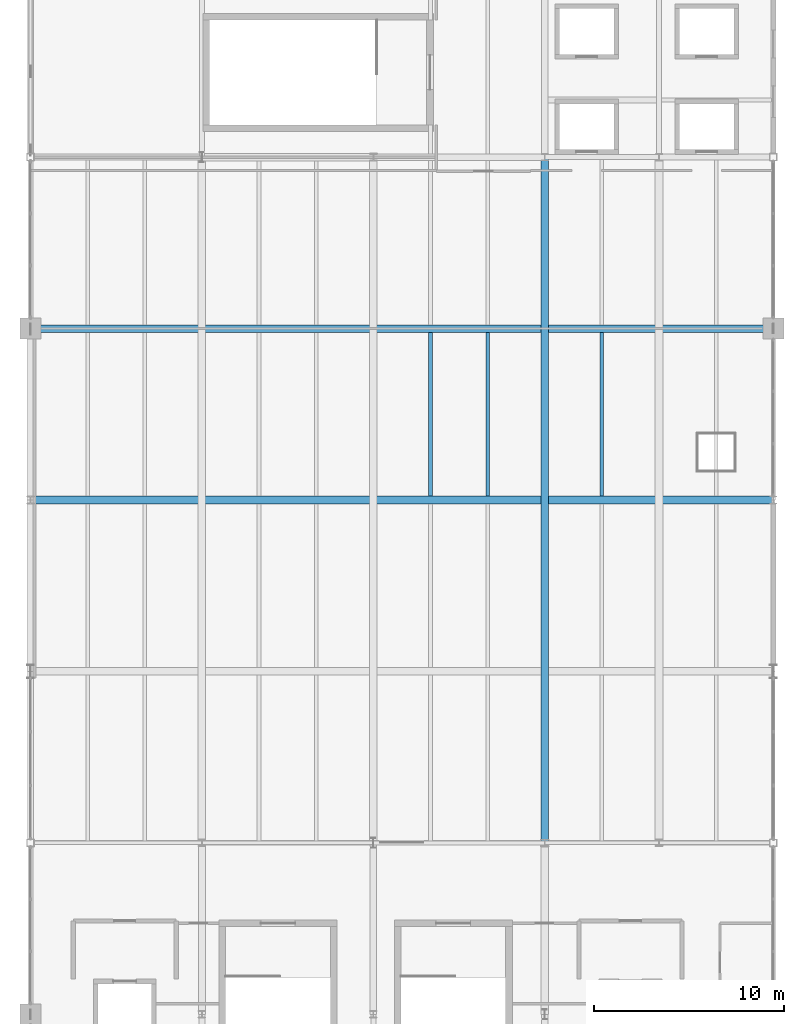
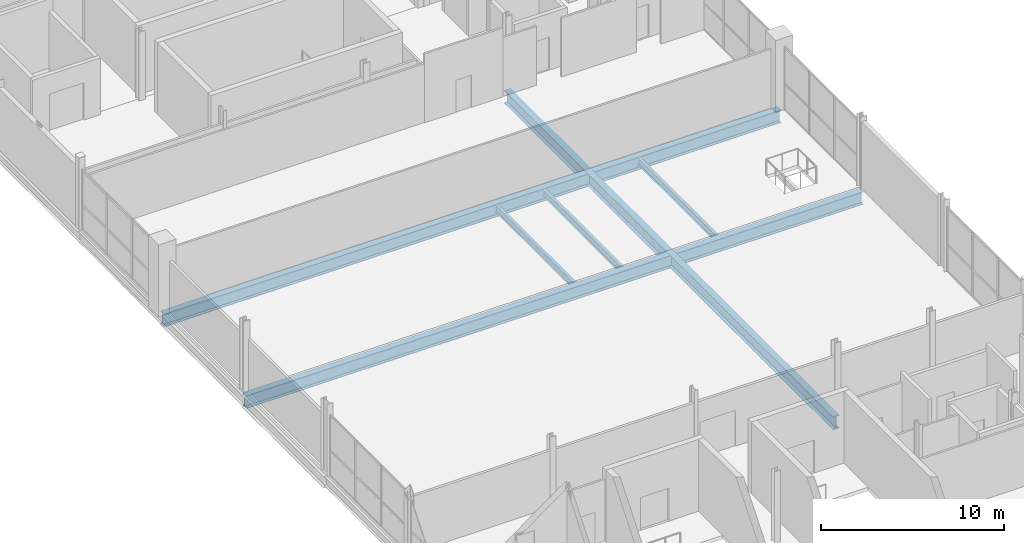
# One storey, part 13 of 29: 6 beams.
"""IFC4 building model written with IfcOpenShell, lengths in metres."""

from ifc_helpers import new_model, si_unit, direction, frame, origin, origin_2d, place, context, subcontext, project, spatial, i_section, extrude, material, material_profile, profile_set, type_object, element, save


model = new_model("IFC4")

# Units and contexts
model_context = context("Model", 3, precision=1e-05, world=origin(), true_north=direction((0.0, 1.0)))
body_context = subcontext(model_context, "Body", "Model", "MODEL_VIEW")
ifc_project = project(units=[si_unit("LENGTHUNIT", "METRE"), si_unit("AREAUNIT", "SQUARE_METRE"), si_unit("VOLUMEUNIT", "CUBIC_METRE"), si_unit("PLANEANGLEUNIT", "RADIAN"), si_unit("MASSUNIT", "GRAM", prefix="KILO")], contexts=[model_context])

# Site, building, storey
site_placement = place(None, origin())
site = spatial("IfcSite", under=ifc_project, at=site_placement, CompositionType="ELEMENT")
building_placement = place(site_placement, origin())
building = spatial("IfcBuilding", under=site, at=building_placement, Name="Qamarlyn Nura Convention Centre", CompositionType="ELEMENT")
storey_placement = place(building_placement, frame((0.0, 0.0, 25.199951171875)))
storey = spatial("IfcBuildingStorey", under=building, at=storey_placement, Name="L05", CompositionType="ELEMENT", Elevation=25.199951171875)

# Beams
ifc_material = material(Name="Steel ASTM A992", Category="steel")
ifc_material_profile_1 = material_profile(ifc_material, i_section(OverallWidth=0.39990234375, OverallDepth=0.85498046875, WebThickness=0.018310546875, FlangeThickness=0.029296875, FilletRadius=0.02197265625, at=origin_2d()), Name="W840X299")
ifc_profile_set_1 = profile_set([ifc_material_profile_1], Name="Steel ASTM A992")
beam_type_1 = type_object("IfcBeamType", Name="BM-GIRD-840", PredefinedType="BEAM", material=ifc_profile_set_1)
for number, where, z_axis, x_axis, name in (
    (1, (153.0, 36.0, -0.66748046875), (1.0, 0.0, 0.0), (0.0, 1.0, 0.0), "L05 girder E 13-18"),
    (2, (153.0, 45.0, -0.66748046875), (1.0, 0.0, 0.0), (0.0, 1.0, 0.0), "L05 girder F 13-18"),
):
    element("IfcBeam", number, at=place(storey_placement, frame(where, z_axis=z_axis, x_axis=x_axis)), inside=storey, type_object=beam_type_1, Name=name, PredefinedType="BEAM", context=body_context, shape_type="SweptSolid", body=[
        extrude(i_section(OverallWidth=0.39990234375, OverallDepth=0.85498046875, WebThickness=0.018310546875, FlangeThickness=0.029296875, FilletRadius=0.02197265625, at=origin_2d()), origin(), (0.0, 0.0, 1.0), 39.0),
    ])
beam_placement = place(storey_placement, frame((180.0, 18.0, -0.66748046875), z_axis=(0.0, 1.0, 0.0), x_axis=(-1.0, 0.0, 0.0)))
element("IfcBeam", 3, at=beam_placement, inside=storey, type_object=beam_type_1, Name="L05 girder 16 C-G", PredefinedType="BEAM", context=body_context, shape_type="SweptSolid", body=[
    extrude(i_section(OverallWidth=0.39990234375, OverallDepth=0.85498046875, WebThickness=0.018310546875, FlangeThickness=0.029296875, FilletRadius=0.02197265625, at=origin_2d()), origin(), (0.0, 0.0, 1.0), 36.0),
])
ifc_material_profile_2 = material_profile(ifc_material, i_section(OverallWidth=0.18994140625, OverallDepth=0.45703125, WebThickness=0.009033203125, FlangeThickness=0.014404296875, FilletRadius=0.012939453125, at=origin_2d()), Name="W460X74")
ifc_profile_set_2 = profile_set([ifc_material_profile_2], Name="Steel ASTM A992")
beam_type_2 = type_object("IfcBeamType", Name="BM-JOIST-460", PredefinedType="JOIST", material=ifc_profile_set_2)
for number, where, z_axis, x_axis, name in (
    (4, (174.0, 36.199951171875, -0.468505859375), (0.0, 1.0, 0.0), (-1.0, 0.0, 0.0), "L05 secondary joist 15-16/E-F-21"),
    (5, (177.0, 36.199951171875, -0.468505859375), (0.0, 1.0, 0.0), (-1.0, 0.0, 0.0), "L05 secondary joist 15-16/E-F-22"),
    (6, (183.0, 36.199951171875, -0.468505859375), (0.0, 1.0, 0.0), (-1.0, 0.0, 0.0), "L05 secondary joist 16-17/E-F-31"),
):
    element("IfcBeam", number, at=place(storey_placement, frame(where, z_axis=z_axis, x_axis=x_axis)), inside=storey, type_object=beam_type_2, Name=name, PredefinedType="JOIST", context=body_context, shape_type="SweptSolid", body=[
        extrude(i_section(OverallWidth=0.18994140625, OverallDepth=0.45703125, WebThickness=0.009033203125, FlangeThickness=0.014404296875, FilletRadius=0.012939453125, at=origin_2d()), origin(), (0.0, 0.0, 1.0), 8.60009765625),
    ])

save(model, "model.ifc")
